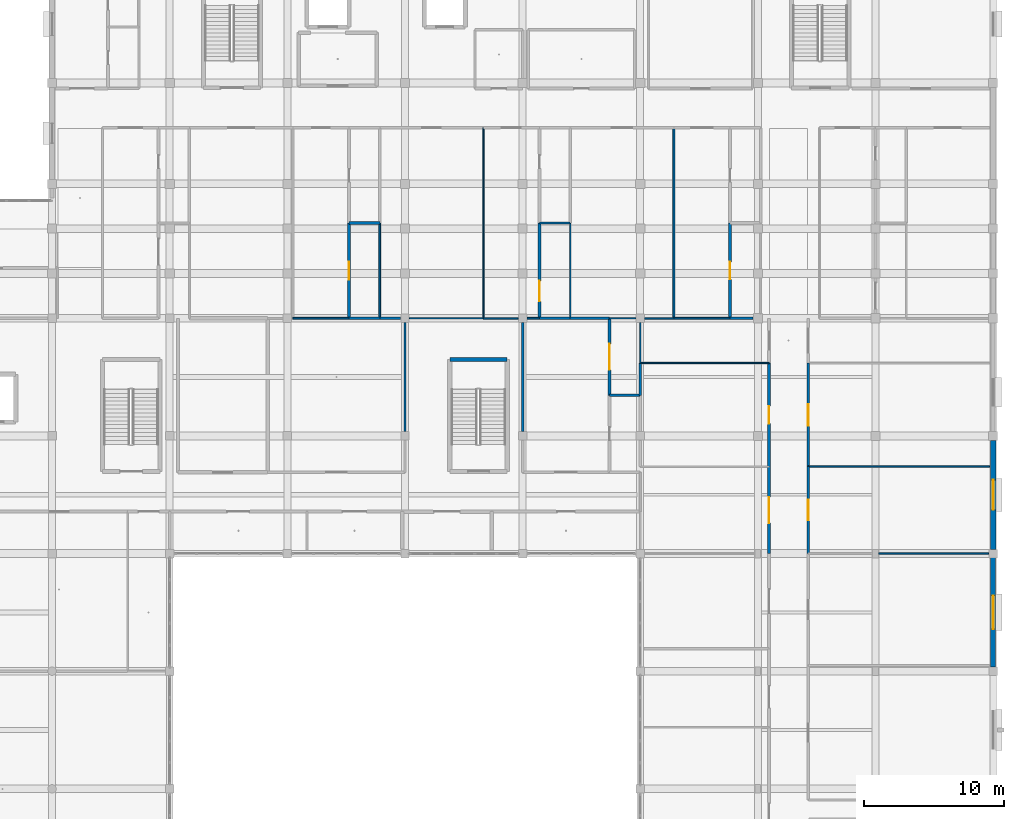
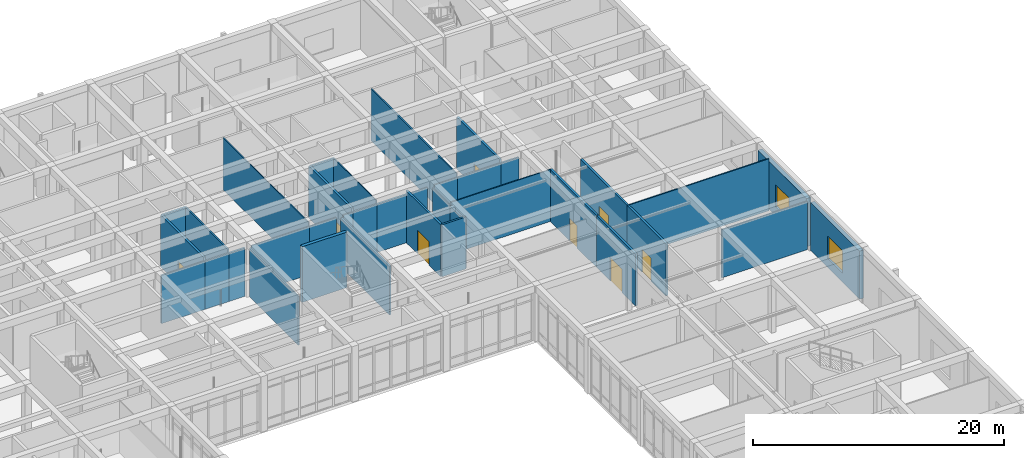
# One storey, part 93 of 157: 37 walls, 8 doors, 2 windows, 10 openings.
"""IFC4 building model written with IfcOpenShell, lengths in metres."""

from ifc_helpers import new_model, si_unit, direction, frame, frame_2d, origin, place, context, subcontext, project, spatial, rectangle, extrude, material, layer, layer_set, type_object, element, fill, save


model = new_model("IFC4")

# Units and contexts
model_context = context("Model", 3, precision=1e-05, world=origin(), true_north=direction((0.0, 1.0)))
body_context = subcontext(model_context, "Body", "Model", "MODEL_VIEW")
ifc_project = project(units=[si_unit("LENGTHUNIT", "METRE"), si_unit("AREAUNIT", "SQUARE_METRE"), si_unit("VOLUMEUNIT", "CUBIC_METRE"), si_unit("PLANEANGLEUNIT", "RADIAN"), si_unit("MASSUNIT", "GRAM", prefix="KILO")], contexts=[model_context])

# Site, building, storey
site_placement = place(None, origin())
site = spatial("IfcSite", under=ifc_project, at=site_placement, CompositionType="ELEMENT")
building_placement = place(site_placement, origin())
building = spatial("IfcBuilding", under=site, at=building_placement, Name="Varncliffe General Hospital", CompositionType="ELEMENT")
storey_placement = place(building_placement, frame((0.0, 0.0, 5.39990234375)))
storey = spatial("IfcBuildingStorey", under=building, at=storey_placement, Name="L01", CompositionType="ELEMENT", Elevation=5.39990234375)

# Wall, opening, window
ifc_material_1 = material(Name="Precast concrete C40/50 with insulated cream lime-cement stucco", Category="concrete")
ifc_layer_1 = layer(ifc_material_1, 0.3798828125)
ifc_layer_set_1 = layer_set([ifc_layer_1], Name="Precast concrete C40/50 with insulated cream lime-cement stucco")
wall_type_1 = type_object("IfcWallType", Name="Exterior Insulated Stucco Wall EW26 (380mm)", PredefinedType="SOLIDWALL", material=ifc_layer_set_1)
wall_1_placement = place(storey_placement, frame((176.39990234375, 90.876953125, 0.0), z_axis=(0.0, 0.0, 1.0), x_axis=(0.0, -1.0, 0.0)))
wall_1 = element("IfcWall", 1, at=wall_1_placement, inside=storey, type_object=wall_type_1, Name="L01 Exterior Stucco Wall EW26-142", PredefinedType="SOLIDWALL", context=body_context, shape_type="SweptSolid", body=[
    extrude(rectangle(XDim=7.779052734375, YDim=0.3798828125, at=frame_2d((3.8896484375, 0.0))), origin(), (0.0, 0.0, 1.0), 4.68017578125),
])
opening_1_placement = place(wall_1_placement, frame((2.814453125, 0.0, 0.89990234375)))
opening_1 = element("IfcOpeningElement", 2, at=opening_1_placement, cuts=wall_1, Name="Opening WN57", PredefinedType="OPENING", context=body_context, shape_type="SweptSolid", body=[
    extrude(rectangle(XDim=2.14990234375, YDim=2.14990234375, at=frame_2d((1.074951171875, 1.074951171875))), frame((0.0, 0.199951171875, 0.0), z_axis=(0.0, -1.0, 0.0), x_axis=(1.0, 0.0, 0.0)), (0.0, 0.0, 1.0), 0.39990234375),
])
ifc_material_2 = material(Name="Triple low-E argon insulated vision glazing", Category="glass")
window_type_1 = type_object("IfcWindowType", Name="Triple-Glazed Hospital Window WN57 (2150x2150)", PartitioningType="DOUBLE_PANEL_VERTICAL", PredefinedType="WINDOW", material=ifc_material_2)
window_1_placement = place(opening_1_placement, origin())
window_1 = element("IfcWindow", 3, at=window_1_placement, inside=storey, type_object=window_type_1, Name="L01 Hospital Window WN57-81", OverallHeight=2.14990234375, OverallWidth=2.14990234375, PartitioningType="DOUBLE_PANEL_VERTICAL", PredefinedType="WINDOW", context=body_context, shape_type="SweptSolid", body=[
    extrude(rectangle(XDim=2.14990234375, YDim=2.14990234375, at=frame_2d((1.074951171875, 1.074951171875))), frame((0.0, 0.030029296875, 0.0), z_axis=(0.0, -1.0, 0.0), x_axis=(1.0, 0.0, 0.0)), (0.0, 0.0, 1.0), 0.06005859375),
])
fill(opening_1, window_1)

ifc_layer_2 = layer(ifc_material_1, 0.35009765625)
ifc_layer_set_2 = layer_set([ifc_layer_2], Name="Precast concrete C40/50 with insulated cream lime-cement stucco")
wall_type_2 = type_object("IfcWallType", Name="Exterior Insulated Stucco Wall EW37 (350mm)", PredefinedType="SOLIDWALL", material=ifc_layer_set_2)
wall_2_placement = place(storey_placement, frame((176.39990234375, 82.501953125, 0.0), z_axis=(0.0, 0.0, 1.0), x_axis=(0.0, -1.0, 0.0)))
wall_2 = element("IfcWall", 4, at=wall_2_placement, inside=storey, type_object=wall_type_2, Name="L01 Exterior Stucco Wall EW37-143", PredefinedType="SOLIDWALL", context=body_context, shape_type="SweptSolid", body=[
    extrude(rectangle(XDim=7.803955078125, YDim=0.35009765625, at=frame_2d((3.90185546875, 0.0))), origin(), (0.0, 0.0, 1.0), 4.68017578125),
])
opening_2_placement = place(wall_2_placement, frame((2.701904296875, 0.0, 0.89990234375)))
opening_2 = element("IfcOpeningElement", 5, at=opening_2_placement, cuts=wall_2, Name="Opening WN61", PredefinedType="OPENING", context=body_context, shape_type="SweptSolid", body=[
    extrude(rectangle(XDim=2.39990234375, YDim=2.14990234375, at=frame_2d((1.199951171875, 1.074951171875))), frame((0.0, 0.18505859375, 0.0), z_axis=(0.0, -1.0, 0.0), x_axis=(1.0, 0.0, 0.0)), (0.0, 0.0, 1.0), 0.3701171875),
])
window_type_2 = type_object("IfcWindowType", Name="Triple-Glazed Hospital Window WN61 (2400x2150)", PartitioningType="DOUBLE_PANEL_VERTICAL", PredefinedType="WINDOW", material=ifc_material_2)
window_2_placement = place(opening_2_placement, origin())
window_2 = element("IfcWindow", 6, at=window_2_placement, inside=storey, type_object=window_type_2, Name="L01 Hospital Window WN61-82", OverallHeight=2.14990234375, OverallWidth=2.39990234375, PartitioningType="DOUBLE_PANEL_VERTICAL", PredefinedType="WINDOW", context=body_context, shape_type="SweptSolid", body=[
    extrude(rectangle(XDim=2.39990234375, YDim=2.14990234375, at=frame_2d((1.199951171875, 1.074951171875))), frame((0.0, 0.030029296875, 0.0), z_axis=(0.0, -1.0, 0.0), x_axis=(1.0, 0.0, 0.0)), (0.0, 0.0, 1.0), 0.06005859375),
])
fill(opening_2, window_2)

# Walls
ifc_material_3 = material(Name="Acoustic clinical gypsum stud partition assembly", Category="gypsum")
ifc_layer_3 = layer(ifc_material_3, 0.1298828125)
ifc_layer_set_3 = layer_set([ifc_layer_3], Name="Acoustic clinical gypsum stud partition assembly")
wall_type_3 = type_object("IfcWallType", Name="Interior Partitioning IW11 (130mm)", PredefinedType="PARTITIONING", material=ifc_layer_set_3)
wall_3_placement = place(storey_placement, frame((126.39990234375, 99.60009765625, 0.0), z_axis=(0.0, 0.0, 1.0), x_axis=(1.0, 0.0, 0.0)))
element("IfcWall", 7, at=wall_3_placement, inside=storey, type_object=wall_type_3, Name="L01 Interior Partition Wall IW11-583", PredefinedType="PARTITIONING", context=body_context, shape_type="SweptSolid", body=[
    extrude(rectangle(XDim=4.0, YDim=0.1298828125, at=frame_2d((2.0, 0.0))), origin(), (0.0, 0.0, 1.0), 4.68505859375),
])
wall_4_placement = place(storey_placement, frame((143.114990234375, 99.60009765625, 0.0), z_axis=(0.0, 0.0, 1.0), x_axis=(1.0, 0.0, 0.0)))
element("IfcWall", 8, at=wall_4_placement, inside=storey, type_object=wall_type_3, Name="L01 Interior Partition Wall IW11-588", PredefinedType="PARTITIONING", context=body_context, shape_type="SweptSolid", body=[
    extrude(rectangle(XDim=0.885009765625, YDim=0.1298828125, at=frame_2d((0.4423828125, 0.0))), origin(), (0.0, 0.0, 1.0), 4.68505859375),
])
wall_5_placement = place(storey_placement, frame((153.60009765625, 99.60009765625, 0.0), z_axis=(0.0, 0.0, 1.0), x_axis=(1.0, 0.0, 0.0)))
element("IfcWall", 9, at=wall_5_placement, inside=storey, type_object=wall_type_3, Name="L01 Interior Partition Wall IW11-593", PredefinedType="PARTITIONING", context=body_context, shape_type="SweptSolid", body=[
    extrude(rectangle(XDim=4.0, YDim=0.1298828125, at=frame_2d((2.0, 0.0))), origin(), (0.0, 0.0, 1.0), 4.68505859375),
])
wall_6_placement = place(storey_placement, frame((132.60009765625, 99.60009765625, 0.0), z_axis=(0.0, 0.0, 1.0), x_axis=(0.0, 1.0, 0.0)))
element("IfcWall", 10, at=wall_6_placement, inside=storey, type_object=wall_type_3, Name="L01 Interior Partition Wall IW11-818", PredefinedType="PARTITIONING", context=body_context, shape_type="SweptSolid", body=[
    extrude(rectangle(XDim=6.7998046875, YDim=0.1298828125, at=frame_2d((3.39990234375, 0.0))), origin(), (0.0, 0.0, 1.0), 5.050048828125),
])
wall_7_placement = place(storey_placement, frame((134.39990234375, 91.514892578125, 0.0), z_axis=(0.0, 0.0, 1.0), x_axis=(0.0, 1.0, 0.0)))
element("IfcWall", 11, at=wall_7_placement, inside=storey, type_object=wall_type_3, Name="L01 Interior Partition Wall IW11-823", PredefinedType="PARTITIONING", context=body_context, shape_type="SweptSolid", body=[
    extrude(rectangle(XDim=7.77001953125, YDim=0.1298828125, at=frame_2d((3.885009765625, 0.0))), origin(), (0.0, 0.0, 1.0), 4.735107421875),
])
wall_8_placement = place(storey_placement, frame((153.60009765625, 99.60009765625, 0.0), z_axis=(0.0, 0.0, 1.0), x_axis=(0.0, 1.0, 0.0)))
element("IfcWall", 12, at=wall_8_placement, inside=storey, type_object=wall_type_3, Name="L01 Interior Partition Wall IW11-853", PredefinedType="PARTITIONING", context=body_context, shape_type="SweptSolid", body=[
    extrude(rectangle(XDim=13.599853515625, YDim=0.1298828125, at=frame_2d((6.7998046875, 0.0))), origin(), (0.0, 0.0, 1.0), 5.050048828125),
])
ifc_layer_4 = layer(ifc_material_3, 0.169921875)
ifc_layer_set_4 = layer_set([ifc_layer_4], Name="Acoustic clinical gypsum stud partition assembly")
wall_type_4 = type_object("IfcWallType", Name="Interior Partitioning IW20 (170mm)", PredefinedType="PARTITIONING", material=ifc_layer_set_4)
wall_9_placement = place(storey_placement, frame((132.60009765625, 99.60009765625, 0.0), z_axis=(0.0, 0.0, 1.0), x_axis=(1.0, 0.0, 0.0)))
element("IfcWall", 13, at=wall_9_placement, inside=storey, type_object=wall_type_4, Name="L01 Interior Partition Wall IW20-585", PredefinedType="PARTITIONING", context=body_context, shape_type="SweptSolid", body=[
    extrude(rectangle(XDim=1.48486328125, YDim=0.169921875, at=frame_2d((0.742431640625, 0.0))), origin(), (0.0, 0.0, 1.0), 4.68505859375),
])
wall_10_placement = place(storey_placement, frame((146.199951171875, 99.60009765625, 0.0), z_axis=(0.0, 0.0, 1.0), x_axis=(1.0, 0.0, 0.0)))
element("IfcWall", 14, at=wall_10_placement, inside=storey, type_object=wall_type_4, Name="L01 Interior Partition Wall IW20-590", PredefinedType="PARTITIONING", context=body_context, shape_type="SweptSolid", body=[
    extrude(rectangle(XDim=2.800048828125, YDim=0.169921875, at=frame_2d((1.39990234375, 0.0))), origin(), (0.0, 0.0, 1.0), 4.68505859375),
])
wall_11_placement = place(storey_placement, frame((142.800048828125, 91.514892578125, 0.0), z_axis=(0.0, 0.0, 1.0), x_axis=(0.0, 1.0, 0.0)))
element("IfcWall", 15, at=wall_11_placement, inside=storey, type_object=wall_type_4, Name="L01 Interior Partition Wall IW20-830", PredefinedType="PARTITIONING", context=body_context, shape_type="SweptSolid", body=[
    extrude(rectangle(XDim=7.77001953125, YDim=0.169921875, at=frame_2d((3.885009765625, 0.0))), origin(), (0.0, 0.0, 1.0), 4.735107421875),
])
wall_12_placement = place(storey_placement, frame((151.199951171875, 94.10009765625, 0.0), z_axis=(0.0, 0.0, 1.0), x_axis=(0.0, 1.0, 0.0)))
element("IfcWall", 16, at=wall_12_placement, inside=storey, type_object=wall_type_4, Name="L01 Interior Partition Wall IW20-850", PredefinedType="PARTITIONING", context=body_context, shape_type="SweptSolid", body=[
    extrude(rectangle(XDim=2.2998046875, YDim=0.169921875, at=frame_2d((1.14990234375, 0.0))), origin(), (0.0, 0.0, 1.0), 4.735107421875),
])
ifc_layer_5 = layer(ifc_material_3, 0.14990234375)
ifc_layer_set_5 = layer_set([ifc_layer_5], Name="Acoustic clinical gypsum stud partition assembly")
wall_type_5 = type_object("IfcWallType", Name="Interior Partitioning IW35 (150mm)", PredefinedType="PARTITIONING", material=ifc_layer_set_5)
wall_13_placement = place(storey_placement, frame((130.39990234375, 99.60009765625, 0.0), z_axis=(0.0, 0.0, 1.0), x_axis=(1.0, 0.0, 0.0)))
element("IfcWall", 17, at=wall_13_placement, inside=storey, type_object=wall_type_5, Name="L01 Interior Partition Wall IW35-584", PredefinedType="PARTITIONING", context=body_context, shape_type="SweptSolid", body=[
    extrude(rectangle(XDim=2.2001953125, YDim=0.14990234375, at=frame_2d((1.10009765625, 0.0))), origin(), (0.0, 0.0, 1.0), 4.68505859375),
])
wall_14_placement = place(storey_placement, frame((144.0, 99.60009765625, 0.0), z_axis=(0.0, 0.0, 1.0), x_axis=(1.0, 0.0, 0.0)))
element("IfcWall", 18, at=wall_14_placement, inside=storey, type_object=wall_type_5, Name="L01 Interior Partition Wall IW35-589", PredefinedType="PARTITIONING", context=body_context, shape_type="SweptSolid", body=[
    extrude(rectangle(XDim=2.199951171875, YDim=0.14990234375, at=frame_2d((1.10009765625, 0.0))), origin(), (0.0, 0.0, 1.0), 4.68505859375),
])
wall_15_placement = place(storey_placement, frame((157.60009765625, 99.60009765625, 0.0), z_axis=(0.0, 0.0, 1.0), x_axis=(1.0, 0.0, 0.0)))
element("IfcWall", 19, at=wall_15_placement, inside=storey, type_object=wall_type_5, Name="L01 Interior Partition Wall IW35-594", PredefinedType="PARTITIONING", context=body_context, shape_type="SweptSolid", body=[
    extrude(rectangle(XDim=1.659912109375, YDim=0.14990234375, at=frame_2d((0.830078125, 0.0))), origin(), (0.0, 0.0, 1.0), 4.68505859375),
])
ifc_layer_6 = layer(ifc_material_3, 0.090087890625)
ifc_layer_set_6 = layer_set([ifc_layer_6], Name="Acoustic clinical gypsum stud partition assembly")
wall_type_6 = type_object("IfcWallType", Name="Interior Partitioning IW42 (90mm)", PredefinedType="PARTITIONING", material=ifc_layer_set_6)
wall_16_placement = place(storey_placement, frame((151.199951171875, 96.39990234375, 0.0), z_axis=(0.0, 0.0, 1.0), x_axis=(1.0, 0.0, 0.0)))
element("IfcWall", 20, at=wall_16_placement, inside=storey, type_object=wall_type_6, Name="L01 Interior Partition Wall IW42-546", PredefinedType="PARTITIONING", context=body_context, shape_type="SweptSolid", body=[
    extrude(rectangle(XDim=9.199951171875, YDim=0.090087890625, at=frame_2d((4.60009765625, 0.0))), origin(), (0.0, 0.0, 1.0), 5.050048828125),
])
wall_17_placement = place(storey_placement, frame((134.715087890625, 99.60009765625, 0.0), z_axis=(0.0, 0.0, 1.0), x_axis=(1.0, 0.0, 0.0)))
element("IfcWall", 21, at=wall_17_placement, inside=storey, type_object=wall_type_6, Name="L01 Interior Partition Wall IW42-586", PredefinedType="PARTITIONING", context=body_context, shape_type="SweptSolid", body=[
    extrude(rectangle(XDim=5.284912109375, YDim=0.090087890625, at=frame_2d((2.642578125, 0.0))), origin(), (0.0, 0.0, 1.0), 4.68505859375),
])
wall_18_placement = place(storey_placement, frame((149.0, 99.60009765625, 0.0), z_axis=(0.0, 0.0, 1.0), x_axis=(1.0, 0.0, 0.0)))
element("IfcWall", 22, at=wall_18_placement, inside=storey, type_object=wall_type_6, Name="L01 Interior Partition Wall IW42-591", PredefinedType="PARTITIONING", context=body_context, shape_type="SweptSolid", body=[
    extrude(rectangle(XDim=1.885009765625, YDim=0.090087890625, at=frame_2d((0.9423828125, 0.0))), origin(), (0.0, 0.0, 1.0), 4.68505859375),
])
wall_19_placement = place(storey_placement, frame((140.0, 99.60009765625, 0.0), z_axis=(0.0, 0.0, 1.0), x_axis=(0.0, 1.0, 0.0)))
element("IfcWall", 23, at=wall_19_placement, inside=storey, type_object=wall_type_6, Name="L01 Interior Partition Wall IW42-826", PredefinedType="PARTITIONING", context=body_context, shape_type="SweptSolid", body=[
    extrude(rectangle(XDim=13.599853515625, YDim=0.090087890625, at=frame_2d((6.7998046875, 0.0))), origin(), (0.0, 0.0, 1.0), 5.050048828125),
])
wall_20_placement = place(storey_placement, frame((146.199951171875, 99.60009765625, 0.0), z_axis=(0.0, 0.0, 1.0), x_axis=(0.0, 1.0, 0.0)))
element("IfcWall", 24, at=wall_20_placement, inside=storey, type_object=wall_type_6, Name="L01 Interior Partition Wall IW42-836", PredefinedType="PARTITIONING", context=body_context, shape_type="SweptSolid", body=[
    extrude(rectangle(XDim=6.7998046875, YDim=0.090087890625, at=frame_2d((3.39990234375, 0.0))), origin(), (0.0, 0.0, 1.0), 5.050048828125),
])
wall_21_placement = place(storey_placement, frame((151.199951171875, 96.39990234375, 0.0), z_axis=(0.0, 0.0, 1.0), x_axis=(0.0, 1.0, 0.0)))
element("IfcWall", 25, at=wall_21_placement, inside=storey, type_object=wall_type_6, Name="L01 Interior Partition Wall IW42-851", PredefinedType="PARTITIONING", context=body_context, shape_type="SweptSolid", body=[
    extrude(rectangle(XDim=2.885009765625, YDim=0.090087890625, at=frame_2d((1.4423828125, 0.0))), origin(), (0.0, 0.0, 1.0), 4.735107421875),
])
ifc_layer_7 = layer(ifc_material_3, 0.110107421875)
ifc_layer_set_7 = layer_set([ifc_layer_7], Name="Acoustic clinical gypsum stud partition assembly")
wall_type_7 = type_object("IfcWallType", Name="Interior Partitioning IW65 (110mm)", PredefinedType="PARTITIONING", material=ifc_layer_set_7)
wall_22_placement = place(storey_placement, frame((168.215087890625, 82.800048828125, 0.0), z_axis=(0.0, 0.0, 1.0), x_axis=(1.0, 0.0, 0.0)))
element("IfcWall", 26, at=wall_22_placement, inside=storey, type_object=wall_type_7, Name="L01 Interior Partition Wall IW65-507", PredefinedType="PARTITIONING", context=body_context, shape_type="SweptSolid", body=[
    extrude(rectangle(XDim=7.869873046875, YDim=0.110107421875, at=frame_2d((3.93505859375, 0.0))), origin(), (0.0, 0.0, 1.0), 4.68505859375),
])
wall_23_placement = place(storey_placement, frame((163.199951171875, 89.0, 0.0), z_axis=(0.0, 0.0, 1.0), x_axis=(1.0, 0.0, 0.0)))
element("IfcWall", 27, at=wall_23_placement, inside=storey, type_object=wall_type_7, Name="L01 Interior Partition Wall IW65-542", PredefinedType="PARTITIONING", context=body_context, shape_type="SweptSolid", body=[
    extrude(rectangle(XDim=12.93994140625, YDim=0.110107421875, at=frame_2d((6.469970703125, 0.0))), origin(), (0.0, 0.0, 1.0), 5.050048828125),
])
wall_24_placement = place(storey_placement, frame((140.0, 99.60009765625, 0.0), z_axis=(0.0, 0.0, 1.0), x_axis=(1.0, 0.0, 0.0)))
element("IfcWall", 28, at=wall_24_placement, inside=storey, type_object=wall_type_7, Name="L01 Interior Partition Wall IW65-587", PredefinedType="PARTITIONING", context=body_context, shape_type="SweptSolid", body=[
    extrude(rectangle(XDim=2.485107421875, YDim=0.110107421875, at=frame_2d((1.24267578125, 0.0))), origin(), (0.0, 0.0, 1.0), 4.68505859375),
])
wall_25_placement = place(storey_placement, frame((151.514892578125, 99.60009765625, 0.0), z_axis=(0.0, 0.0, 1.0), x_axis=(1.0, 0.0, 0.0)))
element("IfcWall", 29, at=wall_25_placement, inside=storey, type_object=wall_type_7, Name="L01 Interior Partition Wall IW65-592", PredefinedType="PARTITIONING", context=body_context, shape_type="SweptSolid", body=[
    extrude(rectangle(XDim=2.085205078125, YDim=0.110107421875, at=frame_2d((1.04248046875, 0.0))), origin(), (0.0, 0.0, 1.0), 4.68505859375),
])

# Wall, opening, door
ifc_material_4 = material(Name="Fire-rated gypsum and mineral-wool partition assembly", Category="gypsum")
ifc_layer_8 = layer(ifc_material_4, 0.199951171875)
ifc_layer_set_8 = layer_set([ifc_layer_8], Name="Fire-rated gypsum and mineral-wool partition assembly")
wall_type_8 = type_object("IfcWallType", Name="Interior Partitioning PW63 (200mm)", PredefinedType="PARTITIONING", material=ifc_layer_set_8)
wall_26_placement = place(storey_placement, frame((130.39990234375, 99.60009765625, 0.0), z_axis=(0.0, 0.0, 1.0), x_axis=(0.0, 1.0, 0.0)))
wall_26 = element("IfcWall", 30, at=wall_26_placement, inside=storey, type_object=wall_type_8, Name="L01 Interior Partition Wall PW63-815", PredefinedType="PARTITIONING", context=body_context, shape_type="SweptSolid", body=[
    extrude(rectangle(XDim=6.7998046875, YDim=0.199951171875, at=frame_2d((3.39990234375, 0.0))), origin(), (0.0, 0.0, 1.0), 5.050048828125),
])
opening_3_placement = place(wall_26_placement, frame((2.75, 0.0, 0.0)))
opening_3 = element("IfcOpeningElement", 31, at=opening_3_placement, cuts=wall_26, Name="Opening DC88", PredefinedType="OPENING", context=body_context, shape_type="SweptSolid", body=[
    extrude(rectangle(XDim=1.300048828125, YDim=2.199951171875, at=frame_2d((0.64990234375, 1.10009765625))), frame((0.0, 0.10986328125, 0.0), z_axis=(0.0, -1.0, 0.0), x_axis=(1.0, 0.0, 0.0)), (0.0, 0.0, 1.0), 0.219970703125),
])
ifc_material_5 = material(Name="Fire-rated hospital steel-frame vision-panel door", Category="steel")
door_type_1 = type_object("IfcDoorType", Name="Interior Hospital Door DC88 (1300x2200)", OperationType="NOTDEFINED", PredefinedType="DOOR", material=ifc_material_5)
door_1_placement = place(opening_3_placement, frame((1.300048828125, 0.0, 0.0), z_axis=(0.0, 0.0, 1.0), x_axis=(-1.0, 0.0, 0.0)))
door_1 = element("IfcDoor", 32, at=door_1_placement, inside=storey, type_object=door_type_1, Name="L01 Patient Medication and Hygiene Bay 155 Door", OperationType="SINGLE_SWING_RIGHT", OverallHeight=2.199951171875, OverallWidth=1.300048828125, PredefinedType="DOOR", context=body_context, shape_type="SweptSolid", body=[
    extrude(rectangle(XDim=1.300048828125, YDim=2.199951171875, at=frame_2d((0.64990234375, 1.10009765625))), frame((0.0, 0.02490234375, 0.0), z_axis=(0.0, -1.0, 0.0), x_axis=(1.0, 0.0, 0.0)), (0.0, 0.0, 1.0), 0.050048828125),
])
fill(opening_3, door_1)

wall_27_placement = place(storey_placement, frame((144.0, 99.60009765625, 0.0), z_axis=(0.0, 0.0, 1.0), x_axis=(0.0, 1.0, 0.0)))
wall_27 = element("IfcWall", 33, at=wall_27_placement, inside=storey, type_object=wall_type_8, Name="L01 Interior Partition Wall PW63-834", PredefinedType="PARTITIONING", context=body_context, shape_type="SweptSolid", body=[
    extrude(rectangle(XDim=6.7998046875, YDim=0.199951171875, at=frame_2d((3.39990234375, 0.0))), origin(), (0.0, 0.0, 1.0), 5.050048828125),
])
opening_4_placement = place(wall_27_placement, frame((1.214111328125, 0.0, 0.0)))
opening_4 = element("IfcOpeningElement", 34, at=opening_4_placement, cuts=wall_27, Name="Opening DC66", PredefinedType="OPENING", context=body_context, shape_type="SweptSolid", body=[
    extrude(rectangle(XDim=1.449951171875, YDim=2.25, at=frame_2d((0.72509765625, 1.125))), frame((0.0, 0.10986328125, 0.0), z_axis=(0.0, -1.0, 0.0), x_axis=(1.0, 0.0, 0.0)), (0.0, 0.0, 1.0), 0.219970703125),
])
door_type_2 = type_object("IfcDoorType", Name="Interior Hospital Door DC66 (1450x2250)", OperationType="NOTDEFINED", PredefinedType="DOOR", material=ifc_material_5)
door_2_placement = place(opening_4_placement, frame((1.449951171875, 0.0, 0.0), z_axis=(0.0, 0.0, 1.0), x_axis=(-1.0, 0.0, 0.0)))
door_2 = element("IfcDoor", 35, at=door_2_placement, inside=storey, type_object=door_type_2, Name="L01 Patient Medication and Hygiene Bay 159 Door", OperationType="SINGLE_SWING_RIGHT", OverallHeight=2.25, OverallWidth=1.449951171875, PredefinedType="DOOR", context=body_context, shape_type="SweptSolid", body=[
    extrude(rectangle(XDim=1.449951171875, YDim=2.25, at=frame_2d((0.72509765625, 1.125))), frame((0.0, 0.02490234375, 0.0), z_axis=(0.0, -1.0, 0.0), x_axis=(1.0, 0.0, 0.0)), (0.0, 0.0, 1.0), 0.050048828125),
])
fill(opening_4, door_2)

wall_28_placement = place(storey_placement, frame((149.0, 94.10009765625, 0.0), z_axis=(0.0, 0.0, 1.0), x_axis=(0.0, 1.0, 0.0)))
wall_28 = element("IfcWall", 36, at=wall_28_placement, inside=storey, type_object=wall_type_8, Name="L01 Interior Partition Wall PW63-840", PredefinedType="PARTITIONING", context=body_context, shape_type="SweptSolid", body=[
    extrude(rectangle(XDim=5.5, YDim=0.199951171875, at=frame_2d((2.75, 0.0))), origin(), (0.0, 0.0, 1.0), 5.050048828125),
])
opening_5_placement = place(wall_28_placement, frame((1.824951171875, 0.0, 0.0)))
opening_5 = element("IfcOpeningElement", 37, at=opening_5_placement, cuts=wall_28, Name="Opening DC38", PredefinedType="OPENING", context=body_context, shape_type="SweptSolid", body=[
    extrude(rectangle(XDim=1.85009765625, YDim=2.300048828125, at=frame_2d((0.925048828125, 1.14990234375))), frame((0.0, 0.10986328125, 0.0), z_axis=(0.0, -1.0, 0.0), x_axis=(1.0, 0.0, 0.0)), (0.0, 0.0, 1.0), 0.219970703125),
])
door_type_3 = type_object("IfcDoorType", Name="Interior Hospital Door DC38 (1850x2300)", OperationType="NOTDEFINED", PredefinedType="DOOR", material=ifc_material_5)
door_3_placement = place(opening_5_placement, frame((1.85009765625, 0.0, 0.0), z_axis=(0.0, 0.0, 1.0), x_axis=(-1.0, 0.0, 0.0)))
door_3 = element("IfcDoor", 38, at=door_3_placement, inside=storey, type_object=door_type_3, Name="L01 Patient Medication and Hygiene Bay 103 Door", OperationType="SINGLE_SWING_LEFT", OverallHeight=2.300048828125, OverallWidth=1.85009765625, PredefinedType="DOOR", context=body_context, shape_type="SweptSolid", body=[
    extrude(rectangle(XDim=1.85009765625, YDim=2.300048828125, at=frame_2d((0.925048828125, 1.14990234375))), frame((0.0, 0.02490234375, 0.0), z_axis=(0.0, -1.0, 0.0), x_axis=(1.0, 0.0, 0.0)), (0.0, 0.0, 1.0), 0.050048828125),
])
fill(opening_5, door_3)

wall_29_placement = place(storey_placement, frame((157.60009765625, 99.60009765625, 0.0), z_axis=(0.0, 0.0, 1.0), x_axis=(0.0, 1.0, 0.0)))
wall_29 = element("IfcWall", 39, at=wall_29_placement, inside=storey, type_object=wall_type_8, Name="L01 Interior Partition Wall PW63-854", PredefinedType="PARTITIONING", context=body_context, shape_type="SweptSolid", body=[
    extrude(rectangle(XDim=6.7998046875, YDim=0.199951171875, at=frame_2d((3.39990234375, 0.0))), origin(), (0.0, 0.0, 1.0), 5.050048828125),
])
opening_6_placement = place(wall_29_placement, frame((2.77490234375, 0.0, 0.0)))
opening_6 = element("IfcOpeningElement", 40, at=opening_6_placement, cuts=wall_29, Name="Opening DC44", PredefinedType="OPENING", context=body_context, shape_type="SweptSolid", body=[
    extrude(rectangle(XDim=1.25, YDim=2.14990234375, at=frame_2d((0.625, 1.074951171875))), frame((0.0, 0.10986328125, 0.0), z_axis=(0.0, -1.0, 0.0), x_axis=(1.0, 0.0, 0.0)), (0.0, 0.0, 1.0), 0.219970703125),
])
door_type_4 = type_object("IfcDoorType", Name="Interior Hospital Door DC44 (1250x2150)", OperationType="NOTDEFINED", PredefinedType="DOOR", material=ifc_material_5)
door_4_placement = place(opening_6_placement, frame((1.25, 0.0, 0.0), z_axis=(0.0, 0.0, 1.0), x_axis=(-1.0, 0.0, 0.0)))
door_4 = element("IfcDoor", 41, at=door_4_placement, inside=storey, type_object=door_type_4, Name="L01 Patient Medication and Hygiene Bay 163 Door", OperationType="SINGLE_SWING_RIGHT", OverallHeight=2.14990234375, OverallWidth=1.25, PredefinedType="DOOR", context=body_context, shape_type="SweptSolid", body=[
    extrude(rectangle(XDim=1.25, YDim=2.14990234375, at=frame_2d((0.625, 1.074951171875))), frame((0.0, 0.02490234375, 0.0), z_axis=(0.0, -1.0, 0.0), x_axis=(1.0, 0.0, 0.0)), (0.0, 0.0, 1.0), 0.050048828125),
])
fill(opening_6, door_4)

wall_30_placement = place(storey_placement, frame((160.39990234375, 82.800048828125, 0.0), z_axis=(0.0, 0.0, 1.0), x_axis=(0.0, 1.0, 0.0)))
wall_30 = element("IfcWall", 42, at=wall_30_placement, inside=storey, type_object=wall_type_8, Name="L01 Interior Partition Wall PW63-872", PredefinedType="PARTITIONING", context=body_context, shape_type="SweptSolid", body=[
    extrude(rectangle(XDim=6.199951171875, YDim=0.199951171875, at=frame_2d((3.10009765625, 0.0))), origin(), (0.0, 0.0, 1.0), 5.050048828125),
])
opening_7_placement = place(wall_30_placement, frame((2.175048828125, 0.0, 0.0)))
opening_7 = element("IfcOpeningElement", 43, at=opening_7_placement, cuts=wall_30, Name="Opening DC38", PredefinedType="OPENING", context=body_context, shape_type="SweptSolid", body=[
    extrude(rectangle(XDim=1.85009765625, YDim=2.300048828125, at=frame_2d((0.925048828125, 1.14990234375))), frame((0.0, 0.10986328125, 0.0), z_axis=(0.0, -1.0, 0.0), x_axis=(1.0, 0.0, 0.0)), (0.0, 0.0, 1.0), 0.219970703125),
])
door_5_placement = place(opening_7_placement, origin())
door_5 = element("IfcDoor", 44, at=door_5_placement, inside=storey, type_object=door_type_3, Name="L01 General Medical Inpatient Room 183 Door", OperationType="SINGLE_SWING_LEFT", OverallHeight=2.300048828125, OverallWidth=1.85009765625, PredefinedType="DOOR", context=body_context, shape_type="SweptSolid", body=[
    extrude(rectangle(XDim=1.85009765625, YDim=2.300048828125, at=frame_2d((0.925048828125, 1.14990234375))), frame((0.0, 0.02490234375, 0.0), z_axis=(0.0, -1.0, 0.0), x_axis=(1.0, 0.0, 0.0)), (0.0, 0.0, 1.0), 0.050048828125),
])
fill(opening_7, door_5)

wall_31_placement = place(storey_placement, frame((160.39990234375, 89.0, 0.0), z_axis=(0.0, 0.0, 1.0), x_axis=(0.0, 1.0, 0.0)))
wall_31 = element("IfcWall", 45, at=wall_31_placement, inside=storey, type_object=wall_type_8, Name="L01 Interior Partition Wall PW63-873", PredefinedType="PARTITIONING", context=body_context, shape_type="SweptSolid", body=[
    extrude(rectangle(XDim=7.39990234375, YDim=0.199951171875, at=frame_2d((3.699951171875, 0.0))), origin(), (0.0, 0.0, 1.0), 5.050048828125),
])
opening_8_placement = place(wall_31_placement, frame((3.074951171875, 0.0, 0.0)))
opening_8 = element("IfcOpeningElement", 46, at=opening_8_placement, cuts=wall_31, Name="Opening DC44", PredefinedType="OPENING", context=body_context, shape_type="SweptSolid", body=[
    extrude(rectangle(XDim=1.25, YDim=2.14990234375, at=frame_2d((0.625, 1.074951171875))), frame((0.0, 0.10986328125, 0.0), z_axis=(0.0, -1.0, 0.0), x_axis=(1.0, 0.0, 0.0)), (0.0, 0.0, 1.0), 0.219970703125),
])
door_6_placement = place(opening_8_placement, origin())
door_6 = element("IfcDoor", 47, at=door_6_placement, inside=storey, type_object=door_type_4, Name="L01 Ward Nurse Station and Medication Room 184 Door", OperationType="SINGLE_SWING_RIGHT", OverallHeight=2.14990234375, OverallWidth=1.25, PredefinedType="DOOR", context=body_context, shape_type="SweptSolid", body=[
    extrude(rectangle(XDim=1.25, YDim=2.14990234375, at=frame_2d((0.625, 1.074951171875))), frame((0.0, 0.02490234375, 0.0), z_axis=(0.0, -1.0, 0.0), x_axis=(1.0, 0.0, 0.0)), (0.0, 0.0, 1.0), 0.050048828125),
])
fill(opening_8, door_6)

wall_32_placement = place(storey_placement, frame((163.199951171875, 82.800048828125, 0.0), z_axis=(0.0, 0.0, 1.0), x_axis=(0.0, 1.0, 0.0)))
wall_32 = element("IfcWall", 48, at=wall_32_placement, inside=storey, type_object=wall_type_8, Name="L01 Interior Partition Wall PW63-883", PredefinedType="PARTITIONING", context=body_context, shape_type="SweptSolid", body=[
    extrude(rectangle(XDim=6.199951171875, YDim=0.199951171875, at=frame_2d((3.10009765625, 0.0))), origin(), (0.0, 0.0, 1.0), 5.050048828125),
])
opening_9_placement = place(wall_32_placement, frame((2.375, 0.0, 0.0)))
opening_9 = element("IfcOpeningElement", 49, at=opening_9_placement, cuts=wall_32, Name="Opening DC66", PredefinedType="OPENING", context=body_context, shape_type="SweptSolid", body=[
    extrude(rectangle(XDim=1.449951171875, YDim=2.25, at=frame_2d((0.72509765625, 1.125))), frame((0.0, 0.10986328125, 0.0), z_axis=(0.0, -1.0, 0.0), x_axis=(1.0, 0.0, 0.0)), (0.0, 0.0, 1.0), 0.219970703125),
])
door_7_placement = place(opening_9_placement, frame((1.449951171875, 0.0, 0.0), z_axis=(0.0, 0.0, 1.0), x_axis=(-1.0, 0.0, 0.0)))
door_7 = element("IfcDoor", 50, at=door_7_placement, inside=storey, type_object=door_type_2, Name="L01 General Medical Inpatient Room 186 Door", OperationType="SINGLE_SWING_RIGHT", OverallHeight=2.25, OverallWidth=1.449951171875, PredefinedType="DOOR", context=body_context, shape_type="SweptSolid", body=[
    extrude(rectangle(XDim=1.449951171875, YDim=2.25, at=frame_2d((0.72509765625, 1.125))), frame((0.0, 0.02490234375, 0.0), z_axis=(0.0, -1.0, 0.0), x_axis=(1.0, 0.0, 0.0)), (0.0, 0.0, 1.0), 0.050048828125),
])
fill(opening_9, door_7)

wall_33_placement = place(storey_placement, frame((163.199951171875, 89.0, 0.0), z_axis=(0.0, 0.0, 1.0), x_axis=(0.0, 1.0, 0.0)))
wall_33 = element("IfcWall", 51, at=wall_33_placement, inside=storey, type_object=wall_type_8, Name="L01 Interior Partition Wall PW63-884", PredefinedType="PARTITIONING", context=body_context, shape_type="SweptSolid", body=[
    extrude(rectangle(XDim=7.39990234375, YDim=0.199951171875, at=frame_2d((3.699951171875, 0.0))), origin(), (0.0, 0.0, 1.0), 5.050048828125),
])
opening_10_placement = place(wall_33_placement, frame((2.925048828125, 0.0, 0.0)))
opening_10 = element("IfcOpeningElement", 52, at=opening_10_placement, cuts=wall_33, Name="Opening DC67", PredefinedType="OPENING", context=body_context, shape_type="SweptSolid", body=[
    extrude(rectangle(XDim=1.550048828125, YDim=2.25, at=frame_2d((0.77490234375, 1.125))), frame((0.0, 0.10986328125, 0.0), z_axis=(0.0, -1.0, 0.0), x_axis=(1.0, 0.0, 0.0)), (0.0, 0.0, 1.0), 0.219970703125),
])
door_type_5 = type_object("IfcDoorType", Name="Interior Hospital Door DC67 (1550x2250)", OperationType="NOTDEFINED", PredefinedType="DOOR", material=ifc_material_5)
door_8_placement = place(opening_10_placement, frame((1.550048828125, 0.0, 0.0), z_axis=(0.0, 0.0, 1.0), x_axis=(-1.0, 0.0, 0.0)))
door_8 = element("IfcDoor", 53, at=door_8_placement, inside=storey, type_object=door_type_5, Name="L01 Ward Nurse Station and Medication Room 187 Door", OperationType="SINGLE_SWING_LEFT", OverallHeight=2.25, OverallWidth=1.550048828125, PredefinedType="DOOR", context=body_context, shape_type="SweptSolid", body=[
    extrude(rectangle(XDim=1.550048828125, YDim=2.25, at=frame_2d((0.77490234375, 1.125))), frame((0.0, 0.02490234375, 0.0), z_axis=(0.0, -1.0, 0.0), x_axis=(1.0, 0.0, 0.0)), (0.0, 0.0, 1.0), 0.050048828125),
])
fill(opening_10, door_8)

# Walls
ifc_material_6 = material(Name="Moisture-resistant plumbing chase wall assembly", Category="gypsum")
ifc_layer_9 = layer(ifc_material_6, 0.18994140625)
ifc_layer_set_9 = layer_set([ifc_layer_9], Name="Moisture-resistant plumbing chase wall assembly")
wall_type_9 = type_object("IfcWallType", Name="Interior Plumbingwall MW17 (190mm)", PredefinedType="PLUMBINGWALL", material=ifc_layer_set_9)
wall_34_placement = place(storey_placement, frame((149.0, 94.10009765625, 0.0), z_axis=(0.0, 0.0, 1.0), x_axis=(1.0, 0.0, 0.0)))
element("IfcWall", 54, at=wall_34_placement, inside=storey, type_object=wall_type_9, Name="L01 Interior Plumbing Wall MW17-544", PredefinedType="PLUMBINGWALL", context=body_context, shape_type="SweptSolid", body=[
    extrude(rectangle(XDim=2.199951171875, YDim=0.18994140625, at=frame_2d((1.10009765625, 0.0))), origin(), (0.0, 0.0, 1.0), 5.050048828125),
])
wall_35_placement = place(storey_placement, frame((130.39990234375, 106.39990234375, 0.0), z_axis=(0.0, 0.0, 1.0), x_axis=(1.0, 0.0, 0.0)))
element("IfcWall", 55, at=wall_35_placement, inside=storey, type_object=wall_type_9, Name="L01 Interior Plumbing Wall MW17-610", PredefinedType="PLUMBINGWALL", context=body_context, shape_type="SweptSolid", body=[
    extrude(rectangle(XDim=2.2001953125, YDim=0.18994140625, at=frame_2d((1.10009765625, 0.0))), origin(), (0.0, 0.0, 1.0), 5.050048828125),
])
ifc_layer_10 = layer(ifc_material_6, 0.159912109375)
ifc_layer_set_10 = layer_set([ifc_layer_10], Name="Moisture-resistant plumbing chase wall assembly")
wall_type_10 = type_object("IfcWallType", Name="Interior Plumbingwall MW31 (160mm)", PredefinedType="PLUMBINGWALL", material=ifc_layer_set_10)
wall_36_placement = place(storey_placement, frame((144.0, 106.39990234375, 0.0), z_axis=(0.0, 0.0, 1.0), x_axis=(1.0, 0.0, 0.0)))
element("IfcWall", 56, at=wall_36_placement, inside=storey, type_object=wall_type_10, Name="L01 Interior Plumbing Wall MW31-611", PredefinedType="PLUMBINGWALL", context=body_context, shape_type="SweptSolid", body=[
    extrude(rectangle(XDim=2.199951171875, YDim=0.159912109375, at=frame_2d((1.10009765625, 0.0))), origin(), (0.0, 0.0, 1.0), 5.050048828125),
])
ifc_material_7 = material(Name="Concrete C40/50 (CSA A23.1 40 MPa)", Category="concrete")
ifc_layer_11 = layer(ifc_material_7, 0.300048828125)
ifc_layer_set_11 = layer_set([ifc_layer_11], Name="Concrete C40/50 (CSA A23.1 40 MPa)")
wall_type_11 = type_object("IfcWallType", Name="Reinforced Concrete Core Shear Wall CW12 (300mm)", PredefinedType="SHEAR", material=ifc_layer_set_11)
wall_37_placement = place(storey_placement, frame((141.699951171875, 96.64990234375, 0.0), z_axis=(0.0, 0.0, 1.0), x_axis=(-1.0, 0.0, 0.0)))
element("IfcWall", 57, at=wall_37_placement, inside=storey, type_object=wall_type_11, Name="L01 ST14 Core Shear Wall F", PredefinedType="SHEAR", context=body_context, shape_type="SweptSolid", body=[
    extrude(rectangle(XDim=4.099853515625, YDim=0.300048828125, at=frame_2d((2.0498046875, 0.0))), origin(), (0.0, 0.0, 1.0), 5.400146484375),
])

save(model, "model.ifc")
